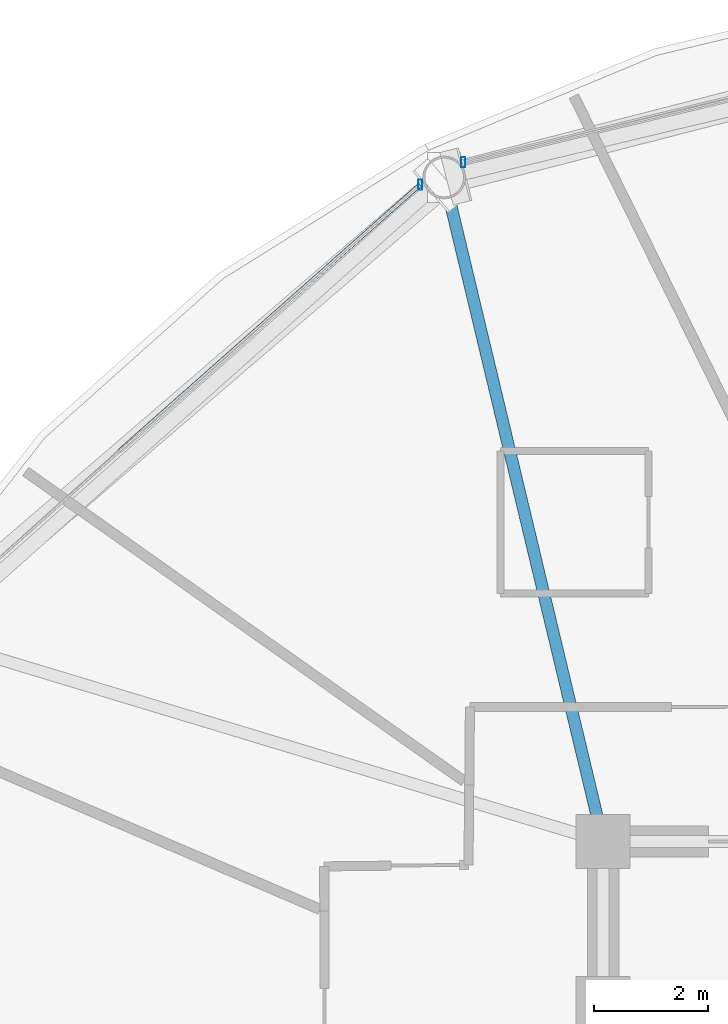
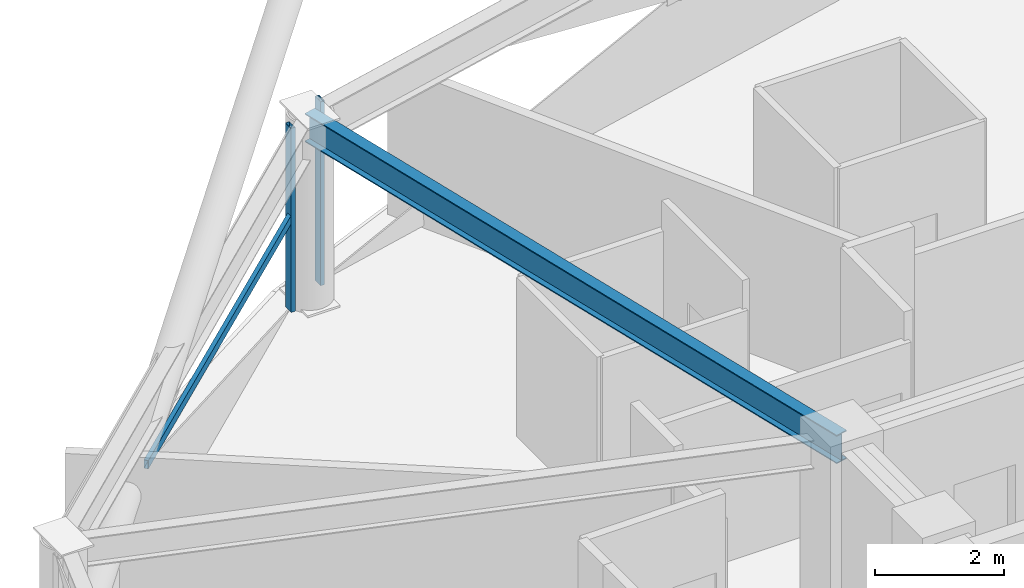
# One storey, part 14 of 29: 3 members, 1 beam, 2 elements without a shape of their own.
"""IFC4 building model written with IfcOpenShell, lengths in metres."""

import ifcopenshell
import ifcopenshell.guid

model = None  # the IFC model being written
_history = None  # IfcOwnerHistory: only IFC2X3 demands one
_inside = {}  # id of a spatial element -> (the spatial element, [elements in it])
_under = {}  # id of a project, library or spatial element -> (it, [spatial elements below it])
_declared = {}  # id of a project -> (the project, [libraries it declares])
_typed = {}  # id of a type object -> (the type object, [elements of that type])
_made_of = {}  # id of a material, layer set ... -> (it, [elements and type objects made of it])


def new_model(schema):
    """Start an empty IFC model of exactly this schema.

    Asked for "IFC4X3", IfcOpenShell would pick the latest addendum, in which some entities
    have other attributes; the version numbers below select the first issue.
    IFC2X3 requires an IfcOwnerHistory on every rooted entity: one is made here for all.
    """
    global model, _history
    if schema == "IFC4X3":
        model = ifcopenshell.file(schema_version=(4, 3, 0, 0))
    else:
        model = ifcopenshell.file(schema=schema)
    _inside.clear()
    _under.clear()
    _declared.clear()
    _typed.clear()
    _made_of.clear()
    _history = None
    if model.schema == "IFC2X3":
        org = make("IfcOrganization", Name="unknown")
        user = make(
            "IfcPersonAndOrganization",
            ThePerson=make("IfcPerson", FamilyName="unknown"),
            TheOrganization=org,
        )
        app = make(
            "IfcApplication",
            ApplicationDeveloper=org,
            Version="unknown",
            ApplicationFullName="unknown",
            ApplicationIdentifier="unknown",
        )
        _history = make(
            "IfcOwnerHistory",
            OwningUser=user,
            OwningApplication=app,
            ChangeAction="ADDED",
            CreationDate=0,
        )
    return model


def make(cls, **values):
    """One entity of the class cls with the attributes given. An attribute that is None is left unset."""
    return model.create_entity(
        cls, **{name: value for name, value in values.items() if value is not None}
    )


def rooted(cls, **values):
    """An entity with a GlobalId (a new one), such as an element, a storey or a relation."""
    return make(cls, GlobalId=ifcopenshell.guid.new(), OwnerHistory=_history, **values)


def si_unit(unit_type, name, prefix=None):
    """IfcSIUnit, for example si_unit("LENGTHUNIT", "METRE", prefix="MILLI")."""
    return make("IfcSIUnit", UnitType=unit_type, Prefix=prefix, Name=name)


def assignment(units):
    """IfcUnitAssignment: the units of a project."""
    return None if units is None else make("IfcUnitAssignment", Units=units)


def point(xyz):
    """IfcCartesianPoint."""
    return None if xyz is None else make("IfcCartesianPoint", Coordinates=xyz)


def direction(xyz):
    """IfcDirection."""
    return None if xyz is None else make("IfcDirection", DirectionRatios=xyz)


def frame(location, z_axis=None, x_axis=None):
    """IfcAxis2Placement3D, a coordinate frame: its origin and axes. An axis left out is left unset."""
    return make(
        "IfcAxis2Placement3D",
        Location=point(location),
        Axis=direction(z_axis),
        RefDirection=direction(x_axis),
    )


def frame_2d(location, x_axis=None):
    """IfcAxis2Placement2D, a coordinate frame in the plane: its origin and x axis."""
    return make(
        "IfcAxis2Placement2D", Location=point(location), RefDirection=direction(x_axis)
    )


def origin():
    """The frame at (0, 0, 0) with its axes left unset."""
    return frame((0.0, 0.0, 0.0))


def origin_2d():
    """The frame at (0, 0) in the plane with its x axis left unset."""
    return frame_2d((0.0, 0.0))


def place(relative_to, where):
    """IfcLocalPlacement: puts the frame where relative to a parent placement (None: the world)."""
    return make(
        "IfcLocalPlacement", PlacementRelTo=relative_to, RelativePlacement=where
    )


def context(
    kind, dimensions, precision=None, world=None, true_north=None, identifier=None
):
    """IfcGeometricRepresentationContext, for example the 3D "Model" context."""
    return make(
        "IfcGeometricRepresentationContext",
        ContextIdentifier=identifier,
        ContextType=kind,
        CoordinateSpaceDimension=dimensions,
        Precision=precision,
        WorldCoordinateSystem=world,
        TrueNorth=true_north,
    )


def subcontext(parent, identifier, kind, view, scale=None):
    """IfcGeometricRepresentationSubContext, for example "Body" below "Model"."""
    return make(
        "IfcGeometricRepresentationSubContext",
        ContextIdentifier=identifier,
        ContextType=kind,
        ParentContext=parent,
        TargetScale=scale,
        TargetView=view,
    )


def project(units=None, contexts=None):
    """IfcProject with its units and contexts."""
    return rooted(
        "IfcProject",
        Name="project",
        RepresentationContexts=contexts,
        UnitsInContext=assignment(units),
    )


def spatial(cls, under=None, at=None, **own):
    """A site, building, storey or space (cls), placed at a placement, below another one or the project."""
    s = rooted(cls, ObjectPlacement=at, **own)
    if under is not None:
        _under.setdefault(under.id(), (under, []))[1].append(s)
    return s


def profile(cls, at=None, kind="AREA", **sizes):
    """A parametric profile (cls). Its sizes go by their IFC names, for example OverallWidth=200.0."""
    return make(cls, ProfileType=kind, Position=at, **sizes)


def hollow_rectangle(**sizes):
    """IfcRectangleHollowProfileDef."""
    return profile("IfcRectangleHollowProfileDef", **sizes)


def i_section(**sizes):
    """IfcIShapeProfileDef."""
    return profile("IfcIShapeProfileDef", **sizes)


def extrude(swept, where, along, depth):
    """IfcExtrudedAreaSolid: the profile swept, set in the frame where, extruded along a direction by depth."""
    return make(
        "IfcExtrudedAreaSolid",
        SweptArea=swept,
        Position=where,
        ExtrudedDirection=direction(along),
        Depth=depth,
    )


def shape(context_of_items, identifier, shape_type, items):
    """IfcShapeRepresentation: the items that make up one representation, for example the "Body"."""
    return make(
        "IfcShapeRepresentation",
        ContextOfItems=context_of_items,
        RepresentationIdentifier=identifier,
        RepresentationType=shape_type,
        Items=items,
    )


def material(Name=None, Category=None):
    """IfcMaterial."""
    return make("IfcMaterial", Name=Name, Category=Category)


def layer(
    of_material, thickness, ventilated=None, Name=None, Category=None, Priority=None
):
    """IfcMaterialLayer: one layer of a wall or slab, of a material (None: an air gap)."""
    return make(
        "IfcMaterialLayer",
        Material=of_material,
        LayerThickness=thickness,
        IsVentilated=ventilated,
        Name=Name,
        Category=Category,
        Priority=Priority,
    )


def layer_set(layers, Name=None):
    """IfcMaterialLayerSet."""
    return make("IfcMaterialLayerSet", MaterialLayers=layers, LayerSetName=Name)


def material_profile(
    of_material, cross_section, Name=None, Category=None, Priority=None
):
    """IfcMaterialProfile: a cross section and its material."""
    return make(
        "IfcMaterialProfile",
        Name=Name,
        Material=of_material,
        Profile=cross_section,
        Priority=Priority,
        Category=Category,
    )


def profile_set(profiles, Name=None, composite=None):
    """IfcMaterialProfileSet."""
    return make(
        "IfcMaterialProfileSet",
        Name=Name,
        MaterialProfiles=profiles,
        CompositeProfile=composite,
    )


def made_of(thing, what):
    """Note that an element or type object is made of a material, layer set ...; save() writes the relation."""
    if what is not None:
        _made_of.setdefault(what.id(), (what, []))[1].append(thing)
    return thing


def type_object(cls, material=None, **own):
    """A type object (cls), such as IfcWallType, which elements share."""
    return made_of(rooted(cls, **own), material)


def element(
    cls,
    number,
    at=None,
    inside=None,
    cuts=None,
    type_object=None,
    material=None,
    context=None,
    identifier="Body",
    shape_type=None,
    held_by="IfcProductDefinitionShape",
    body=None,
    shapes=None,
    **own,
):
    """One element of the class cls, such as IfcWall. Its Tag is "e" and its number.

    at: its placement. inside: the storey or other place that contains it. cuts: it is an
    opening in that element (IfcRelVoidsElement). A single representation is given by context,
    identifier, shape_type and body (its items); several are given by shapes. held_by: the class
    of the entity that holds the representations. save() writes the other relations.
    """
    e = rooted(cls, Tag="e%d" % number, ObjectPlacement=at, **own)
    if body is not None:
        shapes = [shape(context, identifier, shape_type, body)]
    if shapes is not None:
        e.Representation = make(held_by, Representations=shapes)
    if inside is not None:
        _inside.setdefault(inside.id(), (inside, []))[1].append(e)
    if cuts is not None:
        rooted(
            "IfcRelVoidsElement", RelatingBuildingElement=cuts, RelatedOpeningElement=e
        )
    if type_object is not None:
        _typed.setdefault(type_object.id(), (type_object, []))[1].append(e)
    return made_of(e, material)


def aggregate(whole, parts):
    """IfcRelAggregates: a whole, such as a stair, and the parts it consists of."""
    return rooted("IfcRelAggregates", RelatingObject=whole, RelatedObjects=parts)


def save(model, path):
    """Write the relations noted so far, then the file.

    IfcRelAggregates (storeys below a building ...), IfcRelContainedInSpatialStructure (elements
    in a storey), IfcRelDefinesByType, IfcRelAssociatesMaterial and IfcRelDeclares: one each for
    every whole, place, type object, material and project.
    """
    for whole, parts in _under.values():
        aggregate(whole, parts)
    for where, things in _inside.values():
        rooted(
            "IfcRelContainedInSpatialStructure",
            RelatedElements=things,
            RelatingStructure=where,
        )
    for kind, things in _typed.values():
        rooted("IfcRelDefinesByType", RelatedObjects=things, RelatingType=kind)
    for what, things in _made_of.values():
        rooted("IfcRelAssociatesMaterial", RelatedObjects=things, RelatingMaterial=what)
    for by, libraries in _declared.values():
        rooted("IfcRelDeclares", RelatingContext=by, RelatedDefinitions=libraries)
    model.write(path)


model = new_model("IFC4")

# Units and contexts
model_context = context("Model", 3, precision=1e-05, world=origin(), true_north=direction((0.0, 1.0)))
body_context = subcontext(model_context, "Body", "Model", "MODEL_VIEW")
ifc_project = project(units=[si_unit("LENGTHUNIT", "METRE"), si_unit("AREAUNIT", "SQUARE_METRE"), si_unit("VOLUMEUNIT", "CUBIC_METRE"), si_unit("PLANEANGLEUNIT", "RADIAN"), si_unit("MASSUNIT", "GRAM", prefix="KILO")], contexts=[model_context])

# Site, building, storey
site_placement = place(None, origin())
site = spatial("IfcSite", under=ifc_project, at=site_placement, CompositionType="ELEMENT")
building_placement = place(site_placement, origin())
building = spatial("IfcBuilding", under=site, at=building_placement, Name="Vantalir Tower", CompositionType="ELEMENT")
storey_placement = place(building_placement, frame((0.0, 0.0, 157.199951171875)))
storey = spatial("IfcBuildingStorey", under=building, at=storey_placement, Name="L39", CompositionType="ELEMENT", Elevation=157.199951171875)

# Beam
ifc_material_1 = material(Name="Steel S355", Category="steel")
ifc_material_profile_1 = material_profile(ifc_material_1, i_section(OverallWidth=0.2109375, OverallDepth=0.5390625, WebThickness=0.01171875, FlangeThickness=0.018798828125, at=origin_2d()), Name="Steel S355")
ifc_profile_set_1 = profile_set([ifc_material_profile_1], Name="Steel S355")
beam_type = type_object("IfcBeamType", Name="BM-RB-533x210", PredefinedType="BEAM", material=ifc_profile_set_1)
beam_placement = place(storey_placement, frame((19.10888671875, 44.112060546875, 3.301025390625), z_axis=(0.23275072086, -0.97253642705, 0.0), x_axis=(0.97253642705, 0.23275072086, 0.0)))
element("IfcBeam", 1, at=beam_placement, inside=storey, type_object=beam_type, Name="L39 Radial Floor Beam 05", PredefinedType="BEAM", context=body_context, shape_type="SweptSolid", body=[
    extrude(i_section(OverallWidth=0.2109375, OverallDepth=0.5390625, WebThickness=0.01171875, FlangeThickness=0.018798828125, at=origin_2d()), origin(), (0.0, 0.0, 1.0), 11.991455078125),
])

# Curtain wall, member
ifc_material_2 = material(Name="Champagne-silver PVDF aluminium and double-silver Low-E glass", Category="aluminium")
ifc_layer = layer(ifc_material_2, 0.199951171875)
ifc_layer_set = layer_set([ifc_layer], Name="Champagne-silver PVDF aluminium and double-silver Low-E glass")
curtain_wall_type = type_object("IfcCurtainWallType", Name="CW-DIAMOND-Z2", PredefinedType="USERDEFINED", material=ifc_layer_set)
curtain_wall_1_placement = place(storey_placement, origin())
curtain_wall_1 = element("IfcCurtainWall", 2, at=curtain_wall_1_placement, inside=storey, type_object=curtain_wall_type, Name="L39 Quilted Pyramid-Diamond Curtain Wall S04", ObjectType="UNITISED CURTAIN WALL", PredefinedType="USERDEFINED")
ifc_material_3 = material(Name="Champagne-silver PVDF aluminium 6063-T6", Category="aluminium")
ifc_material_profile_2 = material_profile(ifc_material_3, hollow_rectangle(XDim=0.074951171875, YDim=0.179931640625, WallThickness=0.00390625, at=origin_2d()), Name="Champagne-silver PVDF aluminium 6063-T6")
ifc_profile_set_2 = profile_set([ifc_material_profile_2], Name="Champagne-silver PVDF aluminium 6063-T6")
member_type_1 = type_object("IfcMemberType", Name="CWM-180x75", PredefinedType="MULLION", material=ifc_profile_set_2)
member_1_placement = place(storey_placement, frame((19.44189453125, 44.37890625, 0.045166015625), z_axis=(0.0, 0.0, 1.0), x_axis=(1.0, 0.0, 0.0)))
member_1 = element("IfcMember", 3, at=member_1_placement, type_object=member_type_1, Name="CW-L39-S04 Mullion 2", PredefinedType="MULLION", context=body_context, shape_type="SweptSolid", body=[
    extrude(hollow_rectangle(XDim=0.074951171875, YDim=0.179931640625, WallThickness=0.00390625, at=origin_2d()), origin(), (0.0, 0.0, 1.0), 3.47998046875),
])
aggregate(curtain_wall_1, [member_1])

# Curtain wall, members
curtain_wall_2_placement = place(storey_placement, origin())
curtain_wall_2 = element("IfcCurtainWall", 4, at=curtain_wall_2_placement, inside=storey, type_object=curtain_wall_type, Name="L39 Quilted Pyramid-Diamond Curtain Wall S05", ObjectType="UNITISED CURTAIN WALL", PredefinedType="USERDEFINED")
member_2_placement = place(storey_placement, frame((18.68603515625, 43.98388671875, 0.045166015625), z_axis=(0.0, 0.0, 1.0), x_axis=(1.0, 0.0, 0.0)))
member_2 = element("IfcMember", 5, at=member_2_placement, type_object=member_type_1, Name="CW-L39-S05 Mullion 1", PredefinedType="MULLION", context=body_context, shape_type="SweptSolid", body=[
    extrude(hollow_rectangle(XDim=0.074951171875, YDim=0.179931640625, WallThickness=0.00390625, at=origin_2d()), origin(), (0.0, 0.0, 1.0), 3.47998046875),
])
ifc_material_profile_3 = material_profile(ifc_material_3, hollow_rectangle(XDim=0.074951171875, YDim=0.159912109375, WallThickness=0.00390625, at=origin_2d()), Name="Champagne-silver PVDF aluminium 6063-T6")
ifc_profile_set_3 = profile_set([ifc_material_profile_3], Name="Champagne-silver PVDF aluminium 6063-T6")
member_type_2 = type_object("IfcMemberType", Name="CWT-160x75", PredefinedType="USERDEFINED", material=ifc_profile_set_3)
member_3_placement = place(storey_placement, frame((18.68603515625, 43.98388671875, 1.78515625), z_axis=(-0.748722218619, -0.66288388074, 0.0), x_axis=(0.66288388074, -0.748722218619, 0.0)))
member_3 = element("IfcMember", 6, at=member_3_placement, type_object=member_type_2, Name="CW-L39-S05 Pyramid Fold Ridge Transom", ObjectType="TRANSOM", PredefinedType="USERDEFINED", context=body_context, shape_type="SweptSolid", body=[
    extrude(hollow_rectangle(XDim=0.074951171875, YDim=0.159912109375, WallThickness=0.00390625, at=origin_2d()), origin(), (0.0, 0.0, 1.0), 7.05078125),
])
aggregate(curtain_wall_2, [member_2, member_3])

save(model, "model.ifc")
